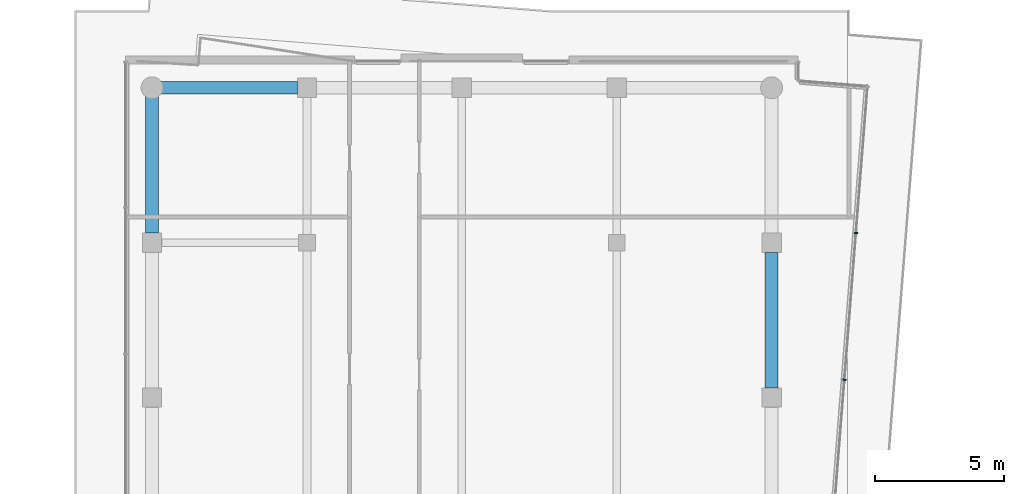
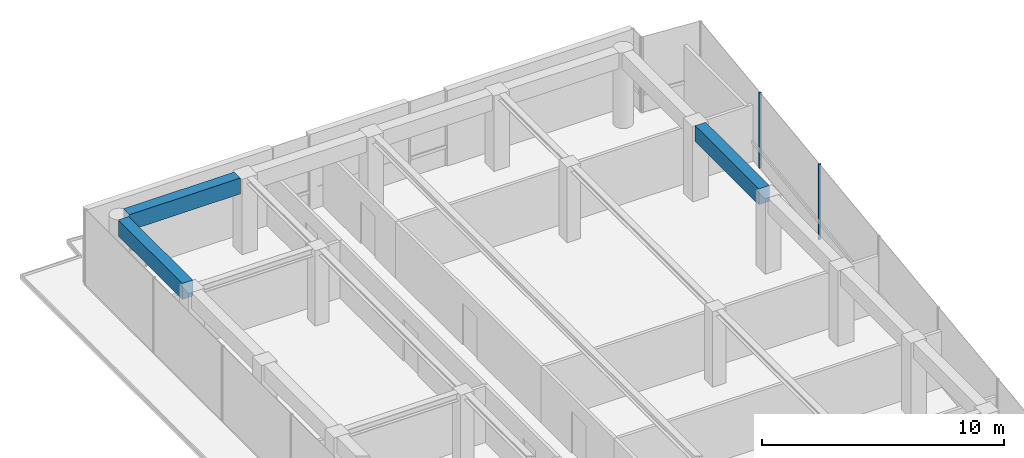
# One storey, part 13 of 22: 3 beams, 2 members, 1 element without a shape of its own.
"""IFC4 building model written with IfcOpenShell, lengths in metres."""

from ifc_helpers import new_model, si_unit, direction, frame, origin, origin_2d, place, context, subcontext, project, spatial, rectangle, extrude, material, layer, layer_set, material_profile, profile_set, type_object, element, aggregate, save


model = new_model("IFC4")

# Units and contexts
model_context = context("Model", 3, precision=1e-05, world=origin(), true_north=direction((0.0, 1.0)))
body_context = subcontext(model_context, "Body", "Model", "MODEL_VIEW")
ifc_project = project(units=[si_unit("LENGTHUNIT", "METRE"), si_unit("AREAUNIT", "SQUARE_METRE"), si_unit("VOLUMEUNIT", "CUBIC_METRE"), si_unit("PLANEANGLEUNIT", "RADIAN"), si_unit("MASSUNIT", "GRAM", prefix="KILO")], contexts=[model_context])

# Site, building, storey
site_placement = place(None, origin())
site = spatial("IfcSite", under=ifc_project, at=site_placement, CompositionType="ELEMENT")
building_placement = place(site_placement, origin())
building = spatial("IfcBuilding", under=site, at=building_placement, Name="Welwitschia Terrace Campus", CompositionType="ELEMENT")
storey_placement = place(building_placement, frame((0.0, 0.0, 268.39990234375)))
storey = spatial("IfcBuildingStorey", under=building, at=storey_placement, Name="L59", CompositionType="ELEMENT", Elevation=268.39990234375)

# Curtain wall, members
ifc_material_1 = material(Name="Bronze anodised aluminium", Category="aluminium")
ifc_layer = layer(ifc_material_1, 0.1201171875)
ifc_layer_set = layer_set([ifc_layer], Name="Bronze anodised aluminium")
curtain_wall_type = type_object("IfcCurtainWallType", Name="Curtain wall CW2 tower 6000", PredefinedType="NOTDEFINED", material=ifc_layer_set)
curtain_wall_placement = place(storey_placement, origin())
curtain_wall = element("IfcCurtainWall", 1, at=curtain_wall_placement, inside=storey, type_object=curtain_wall_type, Name="CW L59.8.0", PredefinedType="NOTDEFINED")
ifc_material_2 = material(Name="Bronze anodised aluminium", Category="aluminium")
ifc_material_profile_1 = material_profile(ifc_material_2, rectangle(XDim=0.1201171875, YDim=0.06005859375, at=origin_2d()))
ifc_profile_set_1 = profile_set([ifc_material_profile_1], Name="Bronze anodised aluminium")
member_type = type_object("IfcMemberType", Name="Mullion 60x120", PredefinedType="MULLION", material=ifc_profile_set_1)
member_1_placement = place(storey_placement, frame((26.8193359375, 50.688232421875, 0.0), z_axis=(0.0, 0.0, 1.0), x_axis=(-0.996917333733, 0.078459095728, 0.0)))
member_1 = element("IfcMember", 2, at=member_1_placement, type_object=member_type, Name="Mullion L59.8.0.4", PredefinedType="MULLION", context=body_context, shape_type="SweptSolid", body=[
    extrude(rectangle(XDim=0.1201171875, YDim=0.06005859375, at=origin_2d()), origin(), (0.0, 0.0, 1.0), 3.800048828125),
])
member_2_placement = place(storey_placement, frame((27.2666015625, 56.3720703125, 0.0), z_axis=(0.0, 0.0, 1.0), x_axis=(-0.996917333733, 0.078459095728, 0.0)))
member_2 = element("IfcMember", 3, at=member_2_placement, type_object=member_type, Name="Mullion L59.8.0.5", PredefinedType="MULLION", context=body_context, shape_type="SweptSolid", body=[
    extrude(rectangle(XDim=0.1201171875, YDim=0.06005859375, at=origin_2d()), origin(), (0.0, 0.0, 1.0), 3.800048828125),
])
aggregate(curtain_wall, [member_1, member_2])

# Beams
ifc_material_3 = material(Name="Concrete C50/60", Category="concrete")
ifc_material_profile_2 = material_profile(ifc_material_3, rectangle(XDim=0.5, YDim=0.800048828125, at=origin_2d()))
ifc_profile_set_2 = profile_set([ifc_material_profile_2], Name="Concrete C50/60")
beam_type = type_object("IfcBeamType", Name="Ring spandrel 500x800", PredefinedType="SPANDREL", material=ifc_profile_set_2)
beam_placement = place(storey_placement, frame((24.0, 50.37548828125, 3.400146484375), z_axis=(0.0, 1.0, 0.0), x_axis=(-1.0, 0.0, 0.0)))
element("IfcBeam", 4, at=beam_placement, inside=storey, type_object=beam_type, Name="Spandrel SP4", PredefinedType="SPANDREL", context=body_context, shape_type="SweptSolid", body=[
    extrude(rectangle(XDim=0.5, YDim=0.800048828125, at=origin_2d()), origin(), (0.0, 0.0, 1.0), 5.2490234375),
])
for number, where, z_axis, x_axis, name in (
    (5, (5.62451171875, 62.0, 3.400146484375), (-1.0, 0.0, 0.0), (0.0, -1.0, 0.0), "Spandrel SP4"),
    (6, (0.0, 61.655517578125, 3.400146484375), (0.0, -1.0, 0.0), (1.0, 0.0, 0.0), "Spandrel SP4"),
):
    element("IfcBeam", number, at=place(storey_placement, frame(where, z_axis=z_axis, x_axis=x_axis)), inside=storey, type_object=beam_type, Name=name, PredefinedType="SPANDREL", context=body_context, shape_type="SweptSolid", body=[
        extrude(rectangle(XDim=0.5, YDim=0.800048828125, at=origin_2d()), origin(), (0.0, 0.0, 1.0), 5.280029296875),
    ])

save(model, "model.ifc")
